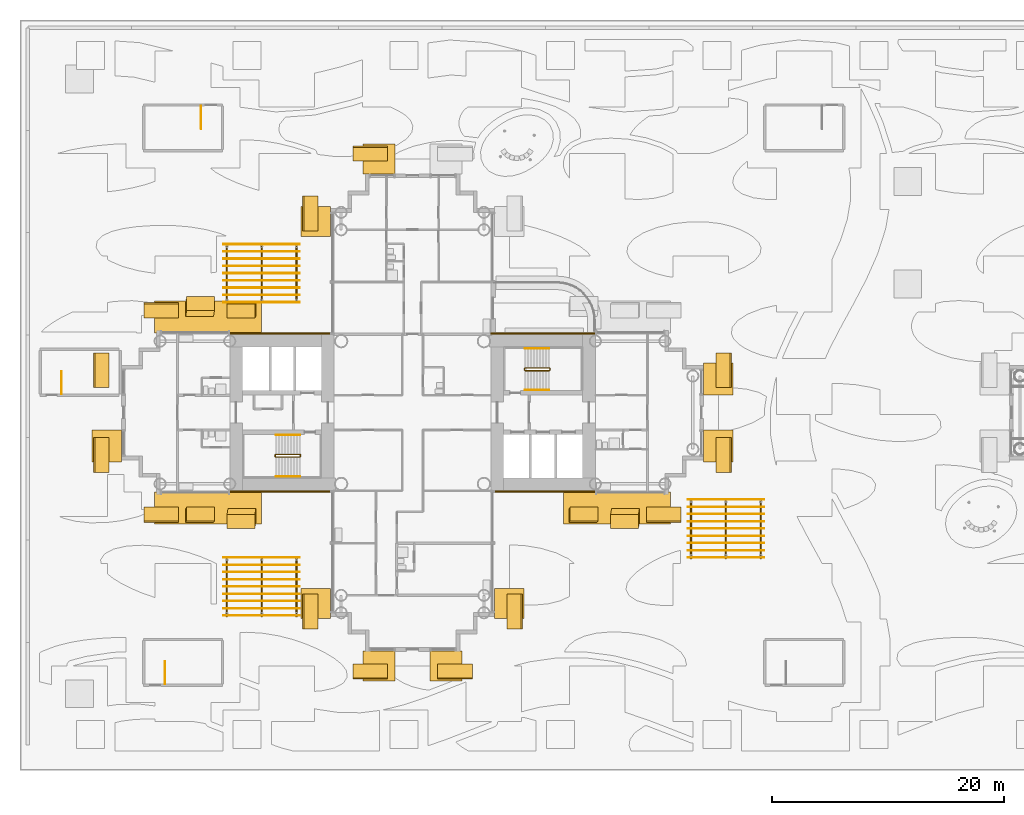
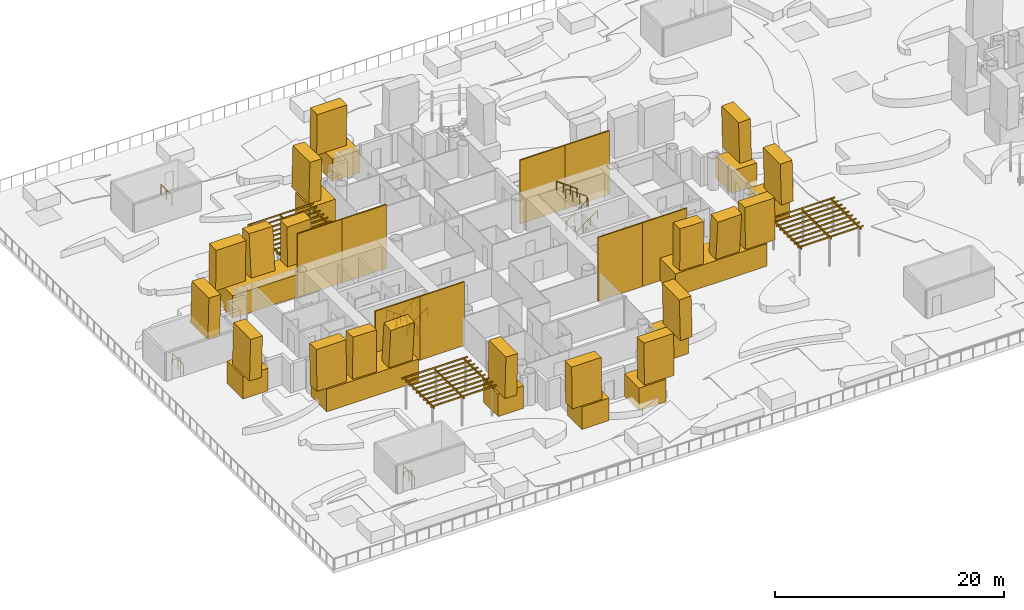
# One storey, part 36 of 40: 75 coverings, 9 railings.
"""IFC4 building model written with IfcOpenShell, lengths in metres."""

from ifc_helpers import new_model, si_unit, direction, frame, origin, origin_2d, place, context, subcontext, project, spatial, rectangle, circle, extrude, material, layer, layer_set, material_profile, profile_set, type_object, element, save


model = new_model("IFC4")

# Units and contexts
model_context = context("Model", 3, precision=1e-05, world=origin(), true_north=direction((0.0, 1.0)))
body_context = subcontext(model_context, "Body", "Model", "MODEL_VIEW")
ifc_project = project(units=[si_unit("LENGTHUNIT", "METRE"), si_unit("AREAUNIT", "SQUARE_METRE"), si_unit("VOLUMEUNIT", "CUBIC_METRE"), si_unit("PLANEANGLEUNIT", "RADIAN"), si_unit("MASSUNIT", "GRAM", prefix="KILO")], contexts=[model_context])

# Site, building, storey
site_placement = place(None, origin())
site = spatial("IfcSite", under=ifc_project, at=site_placement, CompositionType="ELEMENT")
building_placement = place(site_placement, origin())
building = spatial("IfcBuilding", under=site, at=building_placement, Name="Ipe Terrace Towers", CompositionType="ELEMENT")
storey_placement = place(building_placement, frame((0.0, 0.0, 24.5)))
storey = spatial("IfcBuildingStorey", under=building, at=storey_placement, Name="L05", CompositionType="ELEMENT", Elevation=24.5)

# Coverings
ifc_material_1 = material(Name="Steel S355", Category="steel")
ifc_layer_1 = layer(ifc_material_1, 0.10009765625)
ifc_layer_set_1 = layer_set([ifc_layer_1], Name="PERGOLA BEAM RHS 200x100x6")
covering_type_1 = type_object("IfcCoveringType", Name="PERGOLA BEAM RHS 200x100x6", PredefinedType="USERDEFINED", material=ifc_layer_set_1)
for number, where, z_axis, x_axis, name in (
    (1, (-52.0, -15.0, 2.97998046875), (0.0, 0.0, 1.0), (1.0, 0.0, 0.0), "pergola beam"),
    (2, (-49.0, -15.0, 2.97998046875), (0.0, 0.0, 1.0), (1.0, 0.0, 0.0), "pergola beam"),
    (3, (-46.0, -15.0, 2.97998046875), (0.0, 0.0, 1.0), (1.0, 0.0, 0.0), "pergola beam"),
    (4, (-12.0, -10.0, 2.97998046875), (0.0, 0.0, 1.0), (1.0, 0.0, 0.0), "pergola beam"),
    (5, (-9.0, -10.0, 2.97998046875), (0.0, 0.0, 1.0), (1.0, 0.0, 0.0), "pergola beam"),
    (6, (-6.0, -10.0, 2.97998046875), (0.0, 0.0, 1.0), (1.0, 0.0, 0.0), "pergola beam"),
    (7, (-52.0, 12.0, 2.97998046875), (0.0, 0.0, 1.0), (1.0, 0.0, 0.0), "pergola beam"),
    (8, (-49.0, 12.0, 2.97998046875), (0.0, 0.0, 1.0), (1.0, 0.0, 0.0), "pergola beam"),
    (9, (-46.0, 12.0, 2.97998046875), (0.0, 0.0, 1.0), (1.0, 0.0, 0.0), "pergola beam"),
):
    element("IfcCovering", number, at=place(storey_placement, frame(where, z_axis=z_axis, x_axis=x_axis)), inside=storey, type_object=covering_type_1, Name=name, ObjectType="PERGOLA BEAM", PredefinedType="USERDEFINED", context=body_context, shape_type="SweptSolid", body=[
        extrude(rectangle(XDim=0.10009765625, YDim=5.199951171875, at=origin_2d()), origin(), (0.0, 0.0, 1.0), 0.199951171875),
    ])
ifc_material_2 = material(Name="Steel S355", Category="steel")
ifc_layer_2 = layer(ifc_material_2, 0.050048828125)
ifc_layer_set_2 = layer_set([ifc_layer_2], Name="PERGOLA RAFTER RHS 100x50x4")
covering_type_2 = type_object("IfcCoveringType", Name="PERGOLA RAFTER RHS 100x50x4", PredefinedType="USERDEFINED", material=ifc_layer_set_2)
for number, where, z_axis, x_axis, name in (
    (10, (-49.0, -17.5, 3.179931640625), (0.0, 0.0, 1.0), (1.0, 0.0, 0.0), "pergola rafter"),
    (11, (-49.0, -16.875, 3.179931640625), (0.0, 0.0, 1.0), (1.0, 0.0, 0.0), "pergola rafter"),
    (12, (-49.0, -16.25, 3.179931640625), (0.0, 0.0, 1.0), (1.0, 0.0, 0.0), "pergola rafter"),
    (13, (-49.0, -15.625, 3.179931640625), (0.0, 0.0, 1.0), (1.0, 0.0, 0.0), "pergola rafter"),
    (14, (-49.0, -15.0, 3.179931640625), (0.0, 0.0, 1.0), (1.0, 0.0, 0.0), "pergola rafter"),
    (15, (-49.0, -14.375, 3.179931640625), (0.0, 0.0, 1.0), (1.0, 0.0, 0.0), "pergola rafter"),
    (16, (-49.0, -13.75, 3.179931640625), (0.0, 0.0, 1.0), (1.0, 0.0, 0.0), "pergola rafter"),
    (17, (-49.0, -13.125, 3.179931640625), (0.0, 0.0, 1.0), (1.0, 0.0, 0.0), "pergola rafter"),
    (18, (-49.0, -12.5, 3.179931640625), (0.0, 0.0, 1.0), (1.0, 0.0, 0.0), "pergola rafter"),
    (19, (-9.0, -12.5, 3.179931640625), (0.0, 0.0, 1.0), (1.0, 0.0, 0.0), "pergola rafter"),
    (20, (-9.0, -11.875, 3.179931640625), (0.0, 0.0, 1.0), (1.0, 0.0, 0.0), "pergola rafter"),
    (21, (-9.0, -11.25, 3.179931640625), (0.0, 0.0, 1.0), (1.0, 0.0, 0.0), "pergola rafter"),
    (22, (-9.0, -10.625, 3.179931640625), (0.0, 0.0, 1.0), (1.0, 0.0, 0.0), "pergola rafter"),
    (23, (-9.0, -10.0, 3.179931640625), (0.0, 0.0, 1.0), (1.0, 0.0, 0.0), "pergola rafter"),
    (24, (-9.0, -9.375, 3.179931640625), (0.0, 0.0, 1.0), (1.0, 0.0, 0.0), "pergola rafter"),
    (25, (-9.0, -8.75, 3.179931640625), (0.0, 0.0, 1.0), (1.0, 0.0, 0.0), "pergola rafter"),
    (26, (-9.0, -8.125, 3.179931640625), (0.0, 0.0, 1.0), (1.0, 0.0, 0.0), "pergola rafter"),
    (27, (-9.0, -7.5, 3.179931640625), (0.0, 0.0, 1.0), (1.0, 0.0, 0.0), "pergola rafter"),
    (28, (-49.0, 9.5, 3.179931640625), (0.0, 0.0, 1.0), (1.0, 0.0, 0.0), "pergola rafter"),
    (29, (-49.0, 10.125, 3.179931640625), (0.0, 0.0, 1.0), (1.0, 0.0, 0.0), "pergola rafter"),
    (30, (-49.0, 10.75, 3.179931640625), (0.0, 0.0, 1.0), (1.0, 0.0, 0.0), "pergola rafter"),
    (31, (-49.0, 11.375, 3.179931640625), (0.0, 0.0, 1.0), (1.0, 0.0, 0.0), "pergola rafter"),
    (32, (-49.0, 12.0, 3.179931640625), (0.0, 0.0, 1.0), (1.0, 0.0, 0.0), "pergola rafter"),
    (33, (-49.0, 12.625, 3.179931640625), (0.0, 0.0, 1.0), (1.0, 0.0, 0.0), "pergola rafter"),
    (34, (-49.0, 13.25, 3.179931640625), (0.0, 0.0, 1.0), (1.0, 0.0, 0.0), "pergola rafter"),
    (35, (-49.0, 13.875, 3.179931640625), (0.0, 0.0, 1.0), (1.0, 0.0, 0.0), "pergola rafter"),
    (36, (-49.0, 14.5, 3.179931640625), (0.0, 0.0, 1.0), (1.0, 0.0, 0.0), "pergola rafter"),
):
    element("IfcCovering", number, at=place(storey_placement, frame(where, z_axis=z_axis, x_axis=x_axis)), inside=storey, type_object=covering_type_2, Name=name, ObjectType="PERGOLA RAFTER", PredefinedType="USERDEFINED", context=body_context, shape_type="SweptSolid", body=[
        extrude(rectangle(XDim=6.60009765625, YDim=0.050048828125, at=origin_2d()), origin(), (0.0, 0.0, 1.0), 0.10009765625),
    ])
ifc_material_3 = material(Name="Concrete C50/60 precast, buff finish", Category="concrete")
ifc_layer_3 = layer(ifc_material_3, 0.1201171875)
ifc_layer_set_3 = layer_set([ifc_layer_3], Name="STONE CORE CLADDING 120")
covering_type_3 = type_object("IfcCoveringType", Name="STONE CORE CLADDING 120", PredefinedType="CLADDING", material=ifc_layer_set_3)
covering_1_placement = place(storey_placement, frame((-49.5009765625, -6.81005859375, 0.0), z_axis=(0.0, 0.0, 1.0), x_axis=(1.0, 0.0, 0.0)))
element("IfcCovering", 37, at=covering_1_placement, inside=storey, type_object=covering_type_3, Name="stone core cladding", PredefinedType="CLADDING", context=body_context, shape_type="SweptSolid", body=[
    extrude(rectangle(XDim=4.5009765625, YDim=0.1201171875, at=origin_2d()), origin(), (0.0, 0.0, 1.0), 6.800048828125),
])
covering_2_placement = place(storey_placement, frame((-45.0, -6.81005859375, 0.0), z_axis=(0.0, 0.0, 1.0), x_axis=(1.0, 0.0, 0.0)))
element("IfcCovering", 38, at=covering_2_placement, inside=storey, type_object=covering_type_3, Name="stone core cladding", PredefinedType="CLADDING", context=body_context, shape_type="SweptSolid", body=[
    extrude(rectangle(XDim=4.5, YDim=0.1201171875, at=origin_2d()), origin(), (0.0, 0.0, 1.0), 6.800048828125),
])
covering_3_placement = place(storey_placement, frame((-49.5009765625, 6.81005859375, 0.0), z_axis=(0.0, 0.0, 1.0), x_axis=(-1.0, 0.0, 0.0)))
element("IfcCovering", 39, at=covering_3_placement, inside=storey, type_object=covering_type_3, Name="stone core cladding", PredefinedType="CLADDING", context=body_context, shape_type="SweptSolid", body=[
    extrude(rectangle(XDim=4.5009765625, YDim=0.1201171875, at=origin_2d()), origin(), (0.0, 0.0, 1.0), 6.800048828125),
])
for number, where, z_axis, x_axis, name in (
    (40, (-45.0, 6.81005859375, 0.0), (0.0, 0.0, 1.0), (-1.0, 0.0, 0.0), "stone core cladding"),
    (41, (-27.0, -6.81005859375, 0.0), (0.0, 0.0, 1.0), (1.0, 0.0, 0.0), "stone core cladding"),
):
    element("IfcCovering", number, at=place(storey_placement, frame(where, z_axis=z_axis, x_axis=x_axis)), inside=storey, type_object=covering_type_3, Name=name, PredefinedType="CLADDING", context=body_context, shape_type="SweptSolid", body=[
        extrude(rectangle(XDim=4.5, YDim=0.1201171875, at=origin_2d()), origin(), (0.0, 0.0, 1.0), 6.800048828125),
    ])
covering_4_placement = place(storey_placement, frame((-22.4990234375, -6.81005859375, 0.0), z_axis=(0.0, 0.0, 1.0), x_axis=(1.0, 0.0, 0.0)))
element("IfcCovering", 42, at=covering_4_placement, inside=storey, type_object=covering_type_3, Name="stone core cladding", PredefinedType="CLADDING", context=body_context, shape_type="SweptSolid", body=[
    extrude(rectangle(XDim=4.5009765625, YDim=0.1201171875, at=origin_2d()), origin(), (0.0, 0.0, 1.0), 6.800048828125),
])
covering_5_placement = place(storey_placement, frame((-27.0, 6.81005859375, 0.0), z_axis=(0.0, 0.0, 1.0), x_axis=(-1.0, 0.0, 0.0)))
element("IfcCovering", 43, at=covering_5_placement, inside=storey, type_object=covering_type_3, Name="stone core cladding", PredefinedType="CLADDING", context=body_context, shape_type="SweptSolid", body=[
    extrude(rectangle(XDim=4.5, YDim=0.1201171875, at=origin_2d()), origin(), (0.0, 0.0, 1.0), 6.800048828125),
])
covering_6_placement = place(storey_placement, frame((-22.4990234375, 6.81005859375, 0.0), z_axis=(0.0, 0.0, 1.0), x_axis=(-1.0, 0.0, 0.0)))
element("IfcCovering", 44, at=covering_6_placement, inside=storey, type_object=covering_type_3, Name="stone core cladding", PredefinedType="CLADDING", context=body_context, shape_type="SweptSolid", body=[
    extrude(rectangle(XDim=4.5009765625, YDim=0.1201171875, at=origin_2d()), origin(), (0.0, 0.0, 1.0), 6.800048828125),
])
ifc_material_4 = material(Name="Concrete C50/60 precast, buff finish", Category="concrete")
ifc_material_profile_1 = material_profile(ifc_material_4, rectangle(XDim=2.39990234375, YDim=1.199951171875, at=origin_2d()), Name="STONE FIN 2400 x 1200")
ifc_profile_set_1 = profile_set([ifc_material_profile_1], Name="Concrete C50/60 precast, buff finish")
covering_type_4 = type_object("IfcCoveringType", Name="STONE FIN 2400 x 1200", PredefinedType="USERDEFINED", material=ifc_profile_set_1)
covering_7_placement = place(storey_placement, frame((-17.64990234375, -8.8701171875, 2.39990234375), z_axis=(-0.020108517953, -0.117070138766, 0.992920052227), x_axis=(0.999797803311, -0.002354583069, 0.019970188603)))
element("IfcCovering", 45, at=covering_7_placement, inside=storey, type_object=covering_type_4, Name="stone fin", ObjectType="FIN", PredefinedType="USERDEFINED", context=body_context, shape_type="SweptSolid", body=[
    extrude(rectangle(XDim=2.39990234375, YDim=1.199951171875, at=origin_2d()), origin(), (0.0, 0.0, 1.0), 4.431640625),
])
covering_8_placement = place(storey_placement, frame((-21.300048828125, -8.8701171875, 2.39990234375), z_axis=(0.020241188198, 0.025453987351, 0.999471054522), x_axis=(0.999795126164, -0.00051532453, -0.020234627259)))
element("IfcCovering", 46, at=covering_8_placement, inside=storey, type_object=covering_type_4, Name="stone fin", ObjectType="FIN", PredefinedType="USERDEFINED", context=body_context, shape_type="SweptSolid", body=[
    extrude(rectangle(XDim=2.39990234375, YDim=1.199951171875, at=origin_2d()), origin(), (0.0, 0.0, 1.0), 4.402587890625),
])
covering_9_placement = place(storey_placement, frame((-50.699951171875, -8.8701171875, 2.39990234375), z_axis=(-0.020108517953, -0.117070138766, 0.992920052227), x_axis=(0.999797803311, -0.002354583069, 0.019970188603)))
element("IfcCovering", 47, at=covering_9_placement, inside=storey, type_object=covering_type_4, Name="stone fin", ObjectType="FIN", PredefinedType="USERDEFINED", context=body_context, shape_type="SweptSolid", body=[
    extrude(rectangle(XDim=2.39990234375, YDim=1.199951171875, at=origin_2d()), origin(), (0.0, 0.0, 1.0), 4.431640625),
])
for number, where, z_axis, x_axis, name in (
    (48, (-50.699951171875, 8.8701171875, 2.39990234375), (-0.020241188198, -0.025453987351, 0.999471054522), (-0.999795126164, 0.00051532453, -0.020234627259), "stone fin"),
    (49, (-54.35009765625, -8.8701171875, 2.39990234375), (0.020241188198, 0.025453987351, 0.999471054522), (0.999795126164, -0.00051532453, -0.020234627259), "stone fin"),
):
    element("IfcCovering", number, at=place(storey_placement, frame(where, z_axis=z_axis, x_axis=x_axis)), inside=storey, type_object=covering_type_4, Name=name, ObjectType="FIN", PredefinedType="USERDEFINED", context=body_context, shape_type="SweptSolid", body=[
        extrude(rectangle(XDim=2.39990234375, YDim=1.199951171875, at=origin_2d()), origin(), (0.0, 0.0, 1.0), 4.402587890625),
    ])
covering_10_placement = place(storey_placement, frame((-54.35009765625, 8.8701171875, 2.39990234375), z_axis=(0.020108517953, 0.117070138766, 0.992920052227), x_axis=(-0.999797803311, 0.002354583069, 0.019970188603)))
element("IfcCovering", 50, at=covering_10_placement, inside=storey, type_object=covering_type_4, Name="stone fin", ObjectType="FIN", PredefinedType="USERDEFINED", context=body_context, shape_type="SweptSolid", body=[
    extrude(rectangle(XDim=2.39990234375, YDim=1.199951171875, at=origin_2d()), origin(), (0.0, 0.0, 1.0), 4.431640625),
])
ifc_material_5 = material(Name="Concrete C50/60 precast, buff finish", Category="concrete")
ifc_material_profile_2 = material_profile(ifc_material_5, rectangle(XDim=2.56005859375, YDim=2.39990234375, at=origin_2d()), Name="STONE FIN BASE SPANDREL 2560 x 2400")
ifc_profile_set_2 = profile_set([ifc_material_profile_2], Name="Concrete C50/60 precast, buff finish")
covering_type_5 = type_object("IfcCoveringType", Name="STONE FIN BASE SPANDREL 2560 x 2400", PredefinedType="CLADDING", material=ifc_profile_set_2)
covering_11_placement = place(storey_placement, frame((-44.340087890625, -15.14990234375, 1.199951171875), z_axis=(0.0, -1.0, 0.0), x_axis=(-1.0, 0.0, 0.0)))
element("IfcCovering", 51, at=covering_11_placement, inside=storey, type_object=covering_type_5, Name="stone fin spandrel", PredefinedType="CLADDING", context=body_context, shape_type="SweptSolid", body=[
    extrude(rectangle(XDim=2.56005859375, YDim=2.39990234375, at=origin_2d()), origin(), (0.0, 0.0, 1.0), 2.60009765625),
])
for number, where, z_axis, x_axis, name in (
    (52, (-40.25, -21.840087890625, 1.199951171875), (1.0, 0.0, 0.0), (0.0, -1.0, 0.0), "stone fin spandrel"),
    (53, (-34.5, -21.840087890625, 1.199951171875), (1.0, 0.0, 0.0), (0.0, -1.0, 0.0), "stone fin spandrel"),
):
    element("IfcCovering", number, at=place(storey_placement, frame(where, z_axis=z_axis, x_axis=x_axis)), inside=storey, type_object=covering_type_5, Name=name, PredefinedType="CLADDING", context=body_context, shape_type="SweptSolid", body=[
        extrude(rectangle(XDim=2.56005859375, YDim=2.39990234375, at=origin_2d()), origin(), (0.0, 0.0, 1.0), 2.75),
    ])
covering_12_placement = place(storey_placement, frame((-27.659912109375, -17.75, 1.199951171875), z_axis=(0.0, 1.0, 0.0), x_axis=(1.0, 0.0, 0.0)))
element("IfcCovering", 54, at=covering_12_placement, inside=storey, type_object=covering_type_5, Name="stone fin spandrel", PredefinedType="CLADDING", context=body_context, shape_type="SweptSolid", body=[
    extrude(rectangle(XDim=2.56005859375, YDim=2.39990234375, at=origin_2d()), origin(), (0.0, 0.0, 1.0), 2.60009765625),
])
for number, where, z_axis, x_axis, name in (
    (55, (-9.659912109375, -4.25, 1.199951171875), (0.0, 1.0, 0.0), (1.0, 0.0, 0.0), "stone fin spandrel"),
    (56, (-9.659912109375, 1.5, 1.199951171875), (0.0, 1.0, 0.0), (1.0, 0.0, 0.0), "stone fin spandrel"),
    (57, (-37.5, 21.840087890625, 1.199951171875), (-1.0, 0.0, 0.0), (0.0, 1.0, 0.0), "stone fin spandrel"),
):
    element("IfcCovering", number, at=place(storey_placement, frame(where, z_axis=z_axis, x_axis=x_axis)), inside=storey, type_object=covering_type_5, Name=name, PredefinedType="CLADDING", context=body_context, shape_type="SweptSolid", body=[
        extrude(rectangle(XDim=2.56005859375, YDim=2.39990234375, at=origin_2d()), origin(), (0.0, 0.0, 1.0), 2.75),
    ])
covering_13_placement = place(storey_placement, frame((-44.340087890625, 17.75, 1.199951171875), z_axis=(0.0, -1.0, 0.0), x_axis=(-1.0, 0.0, 0.0)))
element("IfcCovering", 58, at=covering_13_placement, inside=storey, type_object=covering_type_5, Name="stone fin spandrel", PredefinedType="CLADDING", context=body_context, shape_type="SweptSolid", body=[
    extrude(rectangle(XDim=2.56005859375, YDim=2.39990234375, at=origin_2d()), origin(), (0.0, 0.0, 1.0), 2.60009765625),
])
covering_14_placement = place(storey_placement, frame((-62.340087890625, -1.5, 1.199951171875), z_axis=(0.0, -1.0, 0.0), x_axis=(-1.0, 0.0, 0.0)))
element("IfcCovering", 59, at=covering_14_placement, inside=storey, type_object=covering_type_5, Name="stone fin spandrel", PredefinedType="CLADDING", context=body_context, shape_type="SweptSolid", body=[
    extrude(rectangle(XDim=2.56005859375, YDim=2.39990234375, at=origin_2d()), origin(), (0.0, 0.0, 1.0), 2.75),
])
ifc_material_6 = material(Name="Concrete C50/60 precast, buff finish", Category="concrete")
ifc_material_profile_3 = material_profile(ifc_material_6, rectangle(XDim=2.760009765625, YDim=2.39990234375, at=origin_2d()), Name="STONE FIN BASE SPANDREL 2760 x 2400")
ifc_profile_set_3 = profile_set([ifc_material_profile_3], Name="Concrete C50/60 precast, buff finish")
covering_type_6 = type_object("IfcCoveringType", Name="STONE FIN BASE SPANDREL 2760 x 2400", PredefinedType="CLADDING", material=ifc_profile_set_3)
for number, where, z_axis, x_axis, name in (
    (60, (-58.25, -8.239990234375, 1.199951171875), (1.0, 0.0, 0.0), (0.0, -1.0, 0.0), "stone fin spandrel"),
    (61, (-23.0, -8.239990234375, 1.199951171875), (1.0, 0.0, 0.0), (0.0, -1.0, 0.0), "stone fin spandrel"),
    (62, (-49.0, 8.239990234375, 1.199951171875), (-1.0, 0.0, 0.0), (0.0, 1.0, 0.0), "stone fin spandrel"),
):
    element("IfcCovering", number, at=place(storey_placement, frame(where, z_axis=z_axis, x_axis=x_axis)), inside=storey, type_object=covering_type_6, Name=name, PredefinedType="CLADDING", context=body_context, shape_type="SweptSolid", body=[
        extrude(rectangle(XDim=2.760009765625, YDim=2.39990234375, at=origin_2d()), origin(), (0.0, 0.0, 1.0), 9.25),
    ])
ifc_material_7 = material(Name="Concrete C50/60 precast, buff finish", Category="concrete")
ifc_material_profile_4 = material_profile(ifc_material_7, rectangle(XDim=3.0, YDim=1.199951171875, at=origin_2d()), Name="STONE FIN CORNER 3000 x 1200")
ifc_profile_set_4 = profile_set([ifc_material_profile_4], Name="Concrete C50/60 precast, buff finish")
covering_type_7 = type_object("IfcCoveringType", Name="STONE FIN CORNER 3000 x 1200", PredefinedType="USERDEFINED", material=ifc_profile_set_4)
for number, where, z_axis, x_axis, name in (
    (63, (-9.1298828125, -3.64990234375, 2.39990234375), (-0.025459203276, 0.0, 0.999675861952), (0.0, 1.0, 0.0), "stone fin"),
    (64, (-9.1298828125, 3.64990234375, 2.39990234375), (-0.025459203276, 0.0, 0.999675861952), (0.0, 1.0, 0.0), "stone fin"),
    (65, (-14.35009765625, -8.8701171875, 2.39990234375), (0.0, 0.025459203276, 0.999675861952), (1.0, 0.0, 0.0), "stone fin"),
    (66, (-27.1298828125, -17.14990234375, 2.39990234375), (-0.025459203276, 0.0, 0.999675861952), (0.0, 1.0, 0.0), "stone fin"),
    (67, (-32.35009765625, -22.3701171875, 2.39990234375), (0.0, 0.025459203276, 0.999675861952), (1.0, 0.0, 0.0), "stone fin"),
    (68, (-39.64990234375, -22.3701171875, 2.39990234375), (0.0, 0.025459203276, 0.999675861952), (1.0, 0.0, 0.0), "stone fin"),
    (69, (-39.64990234375, 22.3701171875, 2.39990234375), (0.0, -0.025459203276, 0.999675861952), (-1.0, 0.0, 0.0), "stone fin"),
    (70, (-44.8701171875, -17.14990234375, 2.39990234375), (0.025459203276, 0.0, 0.999675861952), (0.0, -1.0, 0.0), "stone fin"),
    (71, (-44.8701171875, 17.14990234375, 2.39990234375), (0.025459203276, 0.0, 0.999675861952), (0.0, -1.0, 0.0), "stone fin"),
    (72, (-57.64990234375, -8.8701171875, 2.39990234375), (0.0, 0.025459203276, 0.999675861952), (1.0, 0.0, 0.0), "stone fin"),
    (73, (-57.64990234375, 8.8701171875, 2.39990234375), (0.0, -0.025459203276, 0.999675861952), (-1.0, 0.0, 0.0), "stone fin"),
    (74, (-62.8701171875, -3.64990234375, 2.39990234375), (0.025459203276, 0.0, 0.999675861952), (0.0, -1.0, 0.0), "stone fin"),
    (75, (-62.8701171875, 3.64990234375, 2.39990234375), (0.025459203276, 0.0, 0.999675861952), (0.0, -1.0, 0.0), "stone fin"),
):
    element("IfcCovering", number, at=place(storey_placement, frame(where, z_axis=z_axis, x_axis=x_axis)), inside=storey, type_object=covering_type_7, Name=name, ObjectType="FIN", PredefinedType="USERDEFINED", context=body_context, shape_type="SweptSolid", body=[
        extrude(rectangle(XDim=3.0, YDim=1.199951171875, at=origin_2d()), origin(), (0.0, 0.0, 1.0), 4.401611328125),
    ])

# Railings
ifc_material_8 = material(Name="Steel S355", Category="steel")
railing_type_1 = type_object("IfcRailingType", Name="Stair guard 1100", PredefinedType="GUARDRAIL", material=ifc_material_8)
railing_1_placement = place(storey_placement, frame((-26.35009765625, 3.800048828125, 0.0)))
element("IfcRailing", 76, at=railing_1_placement, inside=storey, type_object=railing_type_1, Name="L05 T1-ST1 stair guard 1", PredefinedType="GUARDRAIL", context=body_context, shape_type="SweptSolid", body=[
    extrude(circle(Radius=0.02392578125, at=origin_2d()), frame((0.0, 0.0, 1.076171875), z_axis=(0.0, -1.0, 0.0), x_axis=(1.0, 0.0, 0.0)), (0.0, 0.0, 1.0), 0.150146484375),
    extrude(circle(Radius=0.02392578125, at=origin_2d()), frame((0.0, -0.150146484375, 1.076171875), z_axis=(0.248103849378, -0.246893586699, 0.936743314239), x_axis=(0.705375805398, 0.708833529934, 0.0)), (0.0, 0.0, 1.0), 0.20166015625),
    extrude(circle(Radius=0.02392578125, at=origin_2d()), frame((0.050048828125, -0.199951171875, 1.26513671875), z_axis=(0.809068575486, 0.0, 0.587714250432), x_axis=(0.0, 1.0, 0.0)), (0.0, 0.0, 1.0), 2.571044921875),
    extrude(circle(Radius=0.02392578125, at=origin_2d()), frame((2.130126953125, -0.199951171875, 2.77587890625), z_axis=(0.708833529934, 0.705375805398, 0.0), x_axis=(-0.705375805398, 0.708833529934, 0.0)), (0.0, 0.0, 1.0), 0.070556640625),
    extrude(circle(Radius=0.02392578125, at=origin_2d()), frame((2.18017578125, -0.150146484375, 2.77587890625), z_axis=(0.0, 1.0, 0.0), x_axis=(-1.0, 0.0, 0.0)), (0.0, 0.0, 1.0), 0.150146484375),
    extrude(circle(Radius=0.02392578125, at=origin_2d()), frame((2.18017578125, 0.0, 2.77587890625), z_axis=(-0.248029566107, 0.248029566107, 0.936462849596), x_axis=(-0.707106781187, -0.707106781187, 0.0)), (0.0, 0.0, 1.0), 0.201904296875),
    extrude(circle(Radius=0.02392578125, at=origin_2d()), frame((2.130126953125, 0.050048828125, 2.96484375), z_axis=(-0.809068575486, 0.0, 0.587714250432), x_axis=(0.0, -1.0, 0.0)), (0.0, 0.0, 1.0), 2.571044921875),
    extrude(circle(Radius=0.02099609375, at=origin_2d()), origin(), (0.0, 0.0, 1.0), 1.052001953125),
    extrude(circle(Radius=0.02099609375, at=origin_2d()), frame((0.0, -0.150146484375, 0.0)), (0.0, 0.0, 1.0), 1.052001953125),
    extrude(circle(Radius=0.02099609375, at=origin_2d()), frame((0.050048828125, -0.199951171875, 0.18896484375)), (0.0, 0.0, 1.0), 1.052001953125),
    extrude(circle(Radius=0.02099609375, at=origin_2d()), frame((0.743408203125, -0.199951171875, 0.692626953125)), (0.0, 0.0, 1.0), 1.052001953125),
    extrude(circle(Radius=0.02099609375, at=origin_2d()), frame((1.436767578125, -0.199951171875, 1.1962890625)), (0.0, 0.0, 1.0), 1.052001953125),
    extrude(circle(Radius=0.02099609375, at=origin_2d()), frame((2.130126953125, -0.199951171875, 1.699951171875)), (0.0, 0.0, 1.0), 1.052001953125),
    extrude(circle(Radius=0.02099609375, at=origin_2d()), frame((2.18017578125, -0.150146484375, 1.699951171875)), (0.0, 0.0, 1.0), 1.052001953125),
    extrude(circle(Radius=0.02099609375, at=origin_2d()), frame((2.18017578125, 0.0, 1.699951171875)), (0.0, 0.0, 1.0), 1.052001953125),
    extrude(circle(Radius=0.02099609375, at=origin_2d()), frame((2.130126953125, 0.050048828125, 1.888916015625)), (0.0, 0.0, 1.0), 1.052001953125),
    extrude(circle(Radius=0.02099609375, at=origin_2d()), frame((1.436767578125, 0.050048828125, 2.392578125)), (0.0, 0.0, 1.0), 1.052001953125),
    extrude(circle(Radius=0.02099609375, at=origin_2d()), frame((0.743408203125, 0.050048828125, 2.896240234375)), (0.0, 0.0, 1.0), 1.052001953125),
    extrude(circle(Radius=0.02099609375, at=origin_2d()), frame((0.050048828125, 0.050048828125, 3.39990234375)), (0.0, 0.0, 1.0), 1.052001953125),
])
railing_2_placement = place(storey_placement, frame((-45.64990234375, -3.800048828125, 0.0)))
element("IfcRailing", 77, at=railing_2_placement, inside=storey, type_object=railing_type_1, Name="L05 T1-ST2 stair guard 1", PredefinedType="GUARDRAIL", context=body_context, shape_type="SweptSolid", body=[
    extrude(circle(Radius=0.02392578125, at=origin_2d()), frame((0.0, 0.0, 1.076171875), z_axis=(0.0, 1.0, 0.0), x_axis=(-1.0, 0.0, 0.0)), (0.0, 0.0, 1.0), 0.150146484375),
    extrude(circle(Radius=0.02392578125, at=origin_2d()), frame((0.0, 0.150146484375, 1.076171875), z_axis=(-0.248103849378, 0.246893586699, 0.936743314239), x_axis=(-0.705375805398, -0.708833529934, 0.0)), (0.0, 0.0, 1.0), 0.20166015625),
    extrude(circle(Radius=0.02392578125, at=origin_2d()), frame((-0.050048828125, 0.199951171875, 1.26513671875), z_axis=(-0.809068575486, 0.0, 0.587714250432), x_axis=(0.0, -1.0, 0.0)), (0.0, 0.0, 1.0), 2.571044921875),
    extrude(circle(Radius=0.02392578125, at=origin_2d()), frame((-2.130126953125, 0.199951171875, 2.77587890625), z_axis=(-0.708833529934, -0.705375805398, 0.0), x_axis=(0.705375805398, -0.708833529934, 0.0)), (0.0, 0.0, 1.0), 0.070556640625),
    extrude(circle(Radius=0.02392578125, at=origin_2d()), frame((-2.18017578125, 0.150146484375, 2.77587890625), z_axis=(0.0, -1.0, 0.0), x_axis=(1.0, 0.0, 0.0)), (0.0, 0.0, 1.0), 0.150146484375),
    extrude(circle(Radius=0.02392578125, at=origin_2d()), frame((-2.18017578125, 0.0, 2.77587890625), z_axis=(0.248029566107, -0.248029566107, 0.936462849596), x_axis=(0.707106781187, 0.707106781187, 0.0)), (0.0, 0.0, 1.0), 0.201904296875),
    extrude(circle(Radius=0.02392578125, at=origin_2d()), frame((-2.130126953125, -0.050048828125, 2.96484375), z_axis=(0.809068575486, 0.0, 0.587714250432), x_axis=(0.0, 1.0, 0.0)), (0.0, 0.0, 1.0), 2.571044921875),
    extrude(circle(Radius=0.02099609375, at=origin_2d()), origin(), (0.0, 0.0, 1.0), 1.052001953125),
    extrude(circle(Radius=0.02099609375, at=origin_2d()), frame((0.0, 0.150146484375, 0.0)), (0.0, 0.0, 1.0), 1.052001953125),
    extrude(circle(Radius=0.02099609375, at=origin_2d()), frame((-0.050048828125, 0.199951171875, 0.18896484375)), (0.0, 0.0, 1.0), 1.052001953125),
    extrude(circle(Radius=0.02099609375, at=origin_2d()), frame((-0.743408203125, 0.199951171875, 0.692626953125)), (0.0, 0.0, 1.0), 1.052001953125),
    extrude(circle(Radius=0.02099609375, at=origin_2d()), frame((-1.436767578125, 0.199951171875, 1.1962890625)), (0.0, 0.0, 1.0), 1.052001953125),
    extrude(circle(Radius=0.02099609375, at=origin_2d()), frame((-2.130126953125, 0.199951171875, 1.699951171875)), (0.0, 0.0, 1.0), 1.052001953125),
    extrude(circle(Radius=0.02099609375, at=origin_2d()), frame((-2.18017578125, 0.150146484375, 1.699951171875)), (0.0, 0.0, 1.0), 1.052001953125),
    extrude(circle(Radius=0.02099609375, at=origin_2d()), frame((-2.18017578125, 0.0, 1.699951171875)), (0.0, 0.0, 1.0), 1.052001953125),
    extrude(circle(Radius=0.02099609375, at=origin_2d()), frame((-2.130126953125, -0.050048828125, 1.888916015625)), (0.0, 0.0, 1.0), 1.052001953125),
    extrude(circle(Radius=0.02099609375, at=origin_2d()), frame((-1.436767578125, -0.050048828125, 2.392578125)), (0.0, 0.0, 1.0), 1.052001953125),
    extrude(circle(Radius=0.02099609375, at=origin_2d()), frame((-0.743408203125, -0.050048828125, 2.896240234375)), (0.0, 0.0, 1.0), 1.052001953125),
    extrude(circle(Radius=0.02099609375, at=origin_2d()), frame((-0.050048828125, -0.050048828125, 3.39990234375)), (0.0, 0.0, 1.0), 1.052001953125),
])
railing_3_placement = place(storey_placement, frame((-54.219970703125, 26.39990234375, 0.0)))
element("IfcRailing", 78, at=railing_3_placement, inside=storey, type_object=railing_type_1, Name="L05 PS1 top well guard 1", PredefinedType="GUARDRAIL", context=body_context, shape_type="SweptSolid", body=[
    extrude(circle(Radius=0.02392578125, at=origin_2d()), frame((0.0, 0.0, 1.076171875), z_axis=(0.0, -1.0, 0.0), x_axis=(1.0, 0.0, 0.0)), (0.0, 0.0, 1.0), 1.949951171875),
    extrude(circle(Radius=0.02099609375, at=origin_2d()), origin(), (0.0, 0.0, 1.0), 1.052001953125),
    extrude(circle(Radius=0.02099609375, at=origin_2d()), frame((0.0, -0.97509765625, 0.0)), (0.0, 0.0, 1.0), 1.052001953125),
    extrude(circle(Radius=0.02099609375, at=origin_2d()), frame((0.0, -1.949951171875, 0.0)), (0.0, 0.0, 1.0), 1.052001953125),
])
for number, where, name in (
    (79, (-57.320068359375, -23.39990234375, 0.0), "L05 PS4 top well guard 1"),
    (80, (-66.239990234375, 1.60009765625, 0.0), "L05 PS7 top well guard 1"),
):
    element("IfcRailing", number, at=place(storey_placement, frame(where)), inside=storey, type_object=railing_type_1, Name=name, PredefinedType="GUARDRAIL", context=body_context, shape_type="SweptSolid", body=[
        extrude(circle(Radius=0.02392578125, at=origin_2d()), frame((0.0, 0.0, 1.076171875), z_axis=(0.0, 1.0, 0.0), x_axis=(-1.0, 0.0, 0.0)), (0.0, 0.0, 1.0), 1.949951171875),
        extrude(circle(Radius=0.02099609375, at=origin_2d()), origin(), (0.0, 0.0, 1.0), 1.052001953125),
        extrude(circle(Radius=0.02099609375, at=origin_2d()), frame((0.0, 0.97509765625, 0.0)), (0.0, 0.0, 1.0), 1.052001953125),
        extrude(circle(Radius=0.02099609375, at=origin_2d()), frame((0.0, 1.949951171875, 0.0)), (0.0, 0.0, 1.0), 1.052001953125),
    ])
ifc_material_9 = material(Name="Stainless steel grade 304", Category="steel")
railing_type_2 = type_object("IfcRailingType", Name="Stair handrail 900", PredefinedType="HANDRAIL", material=ifc_material_9)
railing_4_placement = place(storey_placement, frame((-26.300048828125, 1.949951171875, 0.18896484375)))
element("IfcRailing", 81, at=railing_4_placement, inside=storey, type_object=railing_type_2, Name="L05 T1-ST1 stair handrail 1", PredefinedType="HANDRAIL", context=body_context, shape_type="SweptSolid", body=[
    extrude(circle(Radius=0.02392578125, at=origin_2d()), frame((0.0, 0.0, 0.8759765625), z_axis=(0.809068575486, 0.0, 0.587714250432), x_axis=(0.0, 1.0, 0.0)), (0.0, 0.0, 1.0), 2.571044921875),
    extrude(circle(Radius=0.02099609375, at=origin_2d()), origin(), (0.0, 0.0, 1.0), 0.851806640625),
    extrude(circle(Radius=0.02099609375, at=origin_2d()), frame((0.693359375, 0.0, 0.503662109375)), (0.0, 0.0, 1.0), 0.851806640625),
    extrude(circle(Radius=0.02099609375, at=origin_2d()), frame((1.38671875, 0.0, 1.00732421875)), (0.0, 0.0, 1.0), 0.851806640625),
    extrude(circle(Radius=0.02099609375, at=origin_2d()), frame((2.080078125, 0.0, 1.510986328125)), (0.0, 0.0, 1.0), 0.851806640625),
])
for number, where, name in (
    (82, (-24.219970703125, 5.5, 1.888916015625), "L05 T1-ST1 stair handrail 2"),
    (83, (-45.699951171875, -1.949951171875, 0.18896484375), "L05 T1-ST2 stair handrail 1"),
):
    element("IfcRailing", number, at=place(storey_placement, frame(where)), inside=storey, type_object=railing_type_2, Name=name, PredefinedType="HANDRAIL", context=body_context, shape_type="SweptSolid", body=[
        extrude(circle(Radius=0.02392578125, at=origin_2d()), frame((0.0, 0.0, 0.8759765625), z_axis=(-0.809068575486, 0.0, 0.587714250432), x_axis=(0.0, -1.0, 0.0)), (0.0, 0.0, 1.0), 2.571044921875),
        extrude(circle(Radius=0.02099609375, at=origin_2d()), origin(), (0.0, 0.0, 1.0), 0.851806640625),
        extrude(circle(Radius=0.02099609375, at=origin_2d()), frame((-0.693359375, 0.0, 0.503662109375)), (0.0, 0.0, 1.0), 0.851806640625),
        extrude(circle(Radius=0.02099609375, at=origin_2d()), frame((-1.38671875, 0.0, 1.00732421875)), (0.0, 0.0, 1.0), 0.851806640625),
        extrude(circle(Radius=0.02099609375, at=origin_2d()), frame((-2.080078125, 0.0, 1.510986328125)), (0.0, 0.0, 1.0), 0.851806640625),
    ])
railing_5_placement = place(storey_placement, frame((-47.780029296875, -5.5, 1.888916015625)))
element("IfcRailing", 84, at=railing_5_placement, inside=storey, type_object=railing_type_2, Name="L05 T1-ST2 stair handrail 2", PredefinedType="HANDRAIL", context=body_context, shape_type="SweptSolid", body=[
    extrude(circle(Radius=0.02392578125, at=origin_2d()), frame((0.0, 0.0, 0.8759765625), z_axis=(0.809068575486, 0.0, 0.587714250432), x_axis=(0.0, 1.0, 0.0)), (0.0, 0.0, 1.0), 2.571044921875),
    extrude(circle(Radius=0.02099609375, at=origin_2d()), origin(), (0.0, 0.0, 1.0), 0.851806640625),
    extrude(circle(Radius=0.02099609375, at=origin_2d()), frame((0.693359375, 0.0, 0.503662109375)), (0.0, 0.0, 1.0), 0.851806640625),
    extrude(circle(Radius=0.02099609375, at=origin_2d()), frame((1.38671875, 0.0, 1.00732421875)), (0.0, 0.0, 1.0), 0.851806640625),
    extrude(circle(Radius=0.02099609375, at=origin_2d()), frame((2.080078125, 0.0, 1.510986328125)), (0.0, 0.0, 1.0), 0.851806640625),
])

save(model, "model.ifc")
